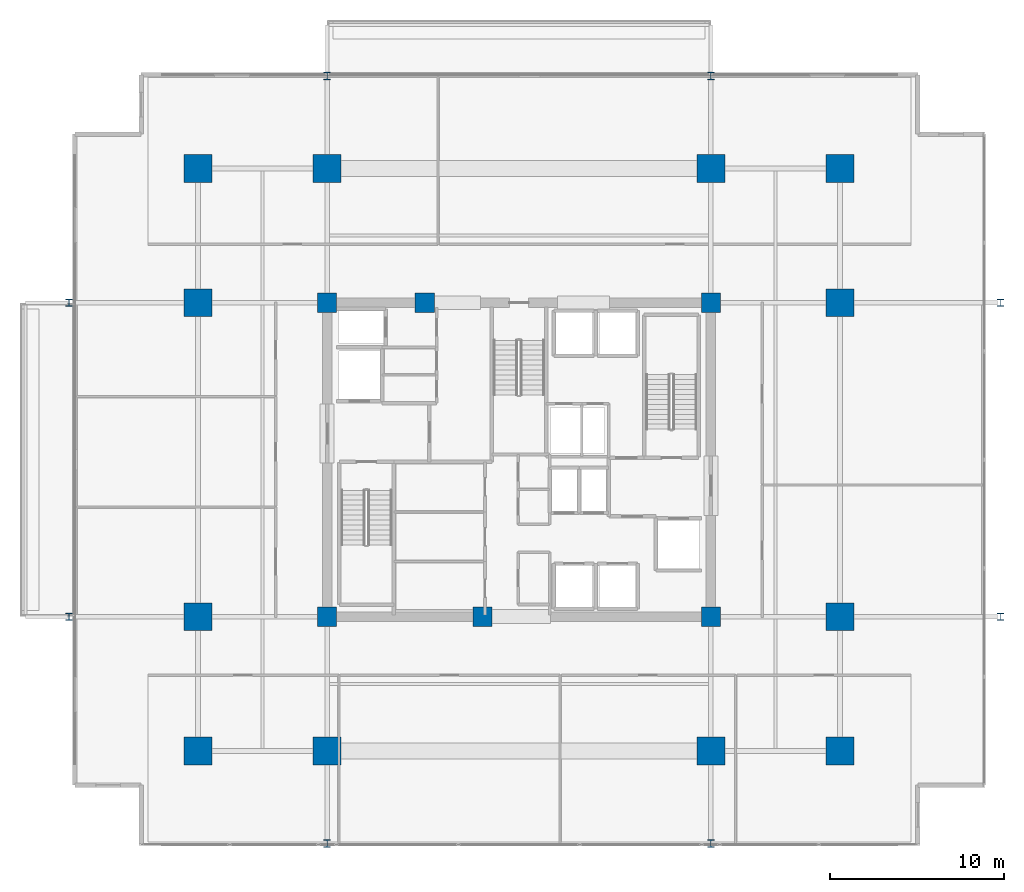
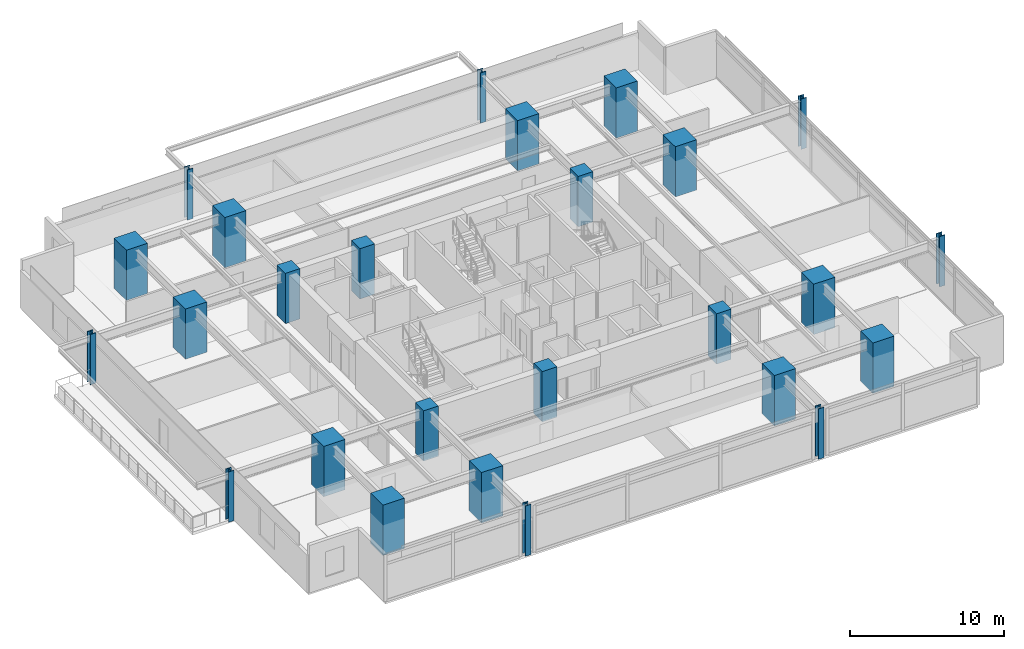
# One storey, part 1 of 20: 26 columns.
"""IFC4 building model written with IfcOpenShell, lengths in metres."""

from ifc_helpers import new_model, si_unit, direction, frame, origin, origin_2d, place, context, subcontext, project, spatial, rectangle, i_section, extrude, material, material_profile, profile_set, type_object, element, save


model = new_model("IFC4")

# Units and contexts
model_context = context("Model", 3, precision=1e-05, world=origin(), true_north=direction((0.0, 1.0)))
body_context = subcontext(model_context, "Body", "Model", "MODEL_VIEW")
ifc_project = project(units=[si_unit("LENGTHUNIT", "METRE"), si_unit("AREAUNIT", "SQUARE_METRE"), si_unit("VOLUMEUNIT", "CUBIC_METRE"), si_unit("PLANEANGLEUNIT", "RADIAN"), si_unit("MASSUNIT", "GRAM", prefix="KILO")], contexts=[model_context])

# Site, building, storey
site_placement = place(None, origin())
site = spatial("IfcSite", under=ifc_project, at=site_placement, CompositionType="ELEMENT")
building_placement = place(site_placement, origin())
building = spatial("IfcBuilding", under=site, at=building_placement, Name="Kovane Verandah Tower", CompositionType="ELEMENT")
storey_placement = place(building_placement, frame((0.0, 0.0, 160.39990234375)))
storey = spatial("IfcBuildingStorey", under=building, at=storey_placement, Name="L37", CompositionType="ELEMENT", Elevation=160.39990234375)

# Columns
ifc_material_1 = material(Name="Concrete C80/95", Category="concrete")
ifc_material_profile_1 = material_profile(ifc_material_1, rectangle(XDim=1.60009765625, YDim=1.60009765625, at=origin_2d()), Name="RC1600x1600")
ifc_profile_set_1 = profile_set([ifc_material_profile_1], Name="Concrete C80/95")
column_type_1 = type_object("IfcColumnType", Name="COL-RC1600", PredefinedType="COLUMN", material=ifc_profile_set_1)
for number, where, z_axis, x_axis, name in (
    (1, (29.0, 10.800048828125, 0.0), (0.0, 0.0, 1.0), (1.0, 0.0, 0.0), "L37 Tower Mega-Column MC-S1"),
    (2, (51.0, 10.800048828125, 0.0), (0.0, 0.0, 1.0), (1.0, 0.0, 0.0), "L37 Tower Mega-Column MC-S2"),
    (3, (29.0, 44.199951171875, 0.0), (0.0, 0.0, 1.0), (1.0, 0.0, 0.0), "L37 Tower Mega-Column MC-N1"),
    (4, (51.0, 44.199951171875, 0.0), (0.0, 0.0, 1.0), (1.0, 0.0, 0.0), "L37 Tower Mega-Column MC-N2"),
    (5, (21.60009765625, 18.5, 0.0), (0.0, 0.0, 1.0), (1.0, 0.0, 0.0), "L37 Tower Mega-Column MC-W1"),
    (6, (21.60009765625, 36.5, 0.0), (0.0, 0.0, 1.0), (1.0, 0.0, 0.0), "L37 Tower Mega-Column MC-W2"),
    (7, (58.39990234375, 18.5, 0.0), (0.0, 0.0, 1.0), (1.0, 0.0, 0.0), "L37 Tower Mega-Column MC-E1"),
    (8, (58.39990234375, 36.5, 0.0), (0.0, 0.0, 1.0), (1.0, 0.0, 0.0), "L37 Tower Mega-Column MC-E2"),
    (9, (21.60009765625, 10.800048828125, 0.0), (0.0, 0.0, 1.0), (1.0, 0.0, 0.0), "L37 Tower Mega-Column MC-SW"),
    (10, (58.39990234375, 10.800048828125, 0.0), (0.0, 0.0, 1.0), (1.0, 0.0, 0.0), "L37 Tower Mega-Column MC-SE"),
    (11, (21.60009765625, 44.199951171875, 0.0), (0.0, 0.0, 1.0), (1.0, 0.0, 0.0), "L37 Tower Mega-Column MC-NW"),
    (12, (58.39990234375, 44.199951171875, 0.0), (0.0, 0.0, 1.0), (1.0, 0.0, 0.0), "L37 Tower Mega-Column MC-NE"),
):
    element("IfcColumn", number, at=place(storey_placement, frame(where, z_axis=z_axis, x_axis=x_axis)), inside=storey, type_object=column_type_1, Name=name, PredefinedType="COLUMN", context=body_context, shape_type="SweptSolid", body=[
        extrude(rectangle(XDim=1.60009765625, YDim=1.60009765625, at=origin_2d()), origin(), (0.0, 0.0, 1.0), 4.0),
    ])
ifc_material_2 = material(Name="Steel S460", Category="steel")
ifc_material_profile_2 = material_profile(ifc_material_2, i_section(OverallWidth=0.412109375, OverallDepth=0.4365234375, WebThickness=0.035888671875, FlangeThickness=0.05810546875, FilletRadius=0.01513671875, at=origin_2d()), Name="UC356x406x467")
ifc_profile_set_2 = profile_set([ifc_material_profile_2], Name="Steel S460")
column_type_2 = type_object("IfcColumnType", Name="COL-UC467", PredefinedType="COLUMN", material=ifc_profile_set_2)
for number, where, z_axis, x_axis, name in (
    (13, (14.199951171875, 18.5, 0.0), (0.0, 0.0, 1.0), (1.0, 0.0, 0.0), "L37 Verandah Perimeter Column VC-W1"),
    (14, (14.199951171875, 36.5, 0.0), (0.0, 0.0, 1.0), (1.0, 0.0, 0.0), "L37 Verandah Perimeter Column VC-W2"),
    (15, (67.60009765625, 18.5, 0.0), (0.0, 0.0, 1.0), (1.0, 0.0, 0.0), "L37 Verandah Perimeter Column VC-E1"),
    (16, (67.60009765625, 36.5, 0.0), (0.0, 0.0, 1.0), (1.0, 0.0, 0.0), "L37 Verandah Perimeter Column VC-E2"),
    (17, (29.0, 5.5, 0.0), (0.0, 0.0, 1.0), (1.0, 0.0, 0.0), "L37 Verandah Perimeter Column VC-S1"),
    (18, (51.0, 5.5, 0.0), (0.0, 0.0, 1.0), (1.0, 0.0, 0.0), "L37 Verandah Perimeter Column VC-S2"),
    (19, (29.0, 49.5, 0.0), (0.0, 0.0, 1.0), (1.0, 0.0, 0.0), "L37 Verandah Perimeter Column VC-N1"),
    (20, (51.0, 49.5, 0.0), (0.0, 0.0, 1.0), (1.0, 0.0, 0.0), "L37 Verandah Perimeter Column VC-N2"),
):
    element("IfcColumn", number, at=place(storey_placement, frame(where, z_axis=z_axis, x_axis=x_axis)), inside=storey, type_object=column_type_2, Name=name, PredefinedType="COLUMN", context=body_context, shape_type="SweptSolid", body=[
        extrude(i_section(OverallWidth=0.412109375, OverallDepth=0.4365234375, WebThickness=0.035888671875, FlangeThickness=0.05810546875, FilletRadius=0.01513671875, at=origin_2d()), origin(), (0.0, 0.0, 1.0), 4.0),
    ])
ifc_material_profile_3 = material_profile(ifc_material_1, rectangle(XDim=1.10009765625, YDim=1.10009765625, at=origin_2d()), Name="RC1100x1100")
ifc_profile_set_3 = profile_set([ifc_material_profile_3], Name="Concrete C80/95")
column_type_3 = type_object("IfcColumnType", Name="PIL-RC1100", PredefinedType="PILASTER", material=ifc_profile_set_3)
for number, where, z_axis, x_axis, name in (
    (21, (29.0, 18.5, 0.0), (0.0, 0.0, 1.0), (1.0, 0.0, 0.0), "L37 Core Pilaster CP-SW"),
    (22, (51.0, 18.5, 0.0), (0.0, 0.0, 1.0), (1.0, 0.0, 0.0), "L37 Core Pilaster CP-SE"),
    (23, (29.0, 36.5, 0.0), (0.0, 0.0, 1.0), (1.0, 0.0, 0.0), "L37 Core Pilaster CP-NW"),
    (24, (51.0, 36.5, 0.0), (0.0, 0.0, 1.0), (1.0, 0.0, 0.0), "L37 Core Pilaster CP-NE"),
    (25, (37.89990234375, 18.5, 0.0), (0.0, 0.0, 1.0), (1.0, 0.0, 0.0), "L37 Core Pilaster CP-S"),
    (26, (34.60009765625, 36.5, 0.0), (0.0, 0.0, 1.0), (1.0, 0.0, 0.0), "L37 Core Pilaster CP-N"),
):
    element("IfcColumn", number, at=place(storey_placement, frame(where, z_axis=z_axis, x_axis=x_axis)), inside=storey, type_object=column_type_3, Name=name, PredefinedType="PILASTER", context=body_context, shape_type="SweptSolid", body=[
        extrude(rectangle(XDim=1.10009765625, YDim=1.10009765625, at=origin_2d()), origin(), (0.0, 0.0, 1.0), 4.0),
    ])

save(model, "model.ifc")
